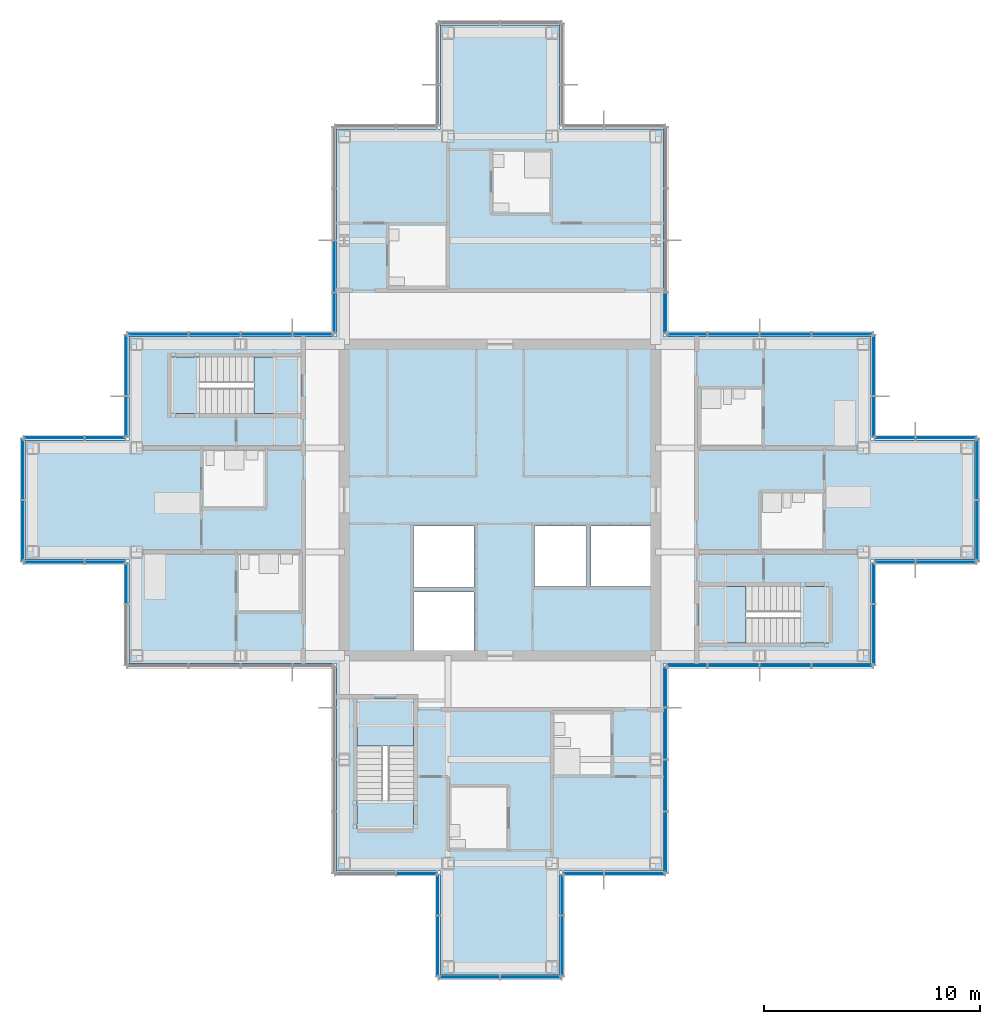
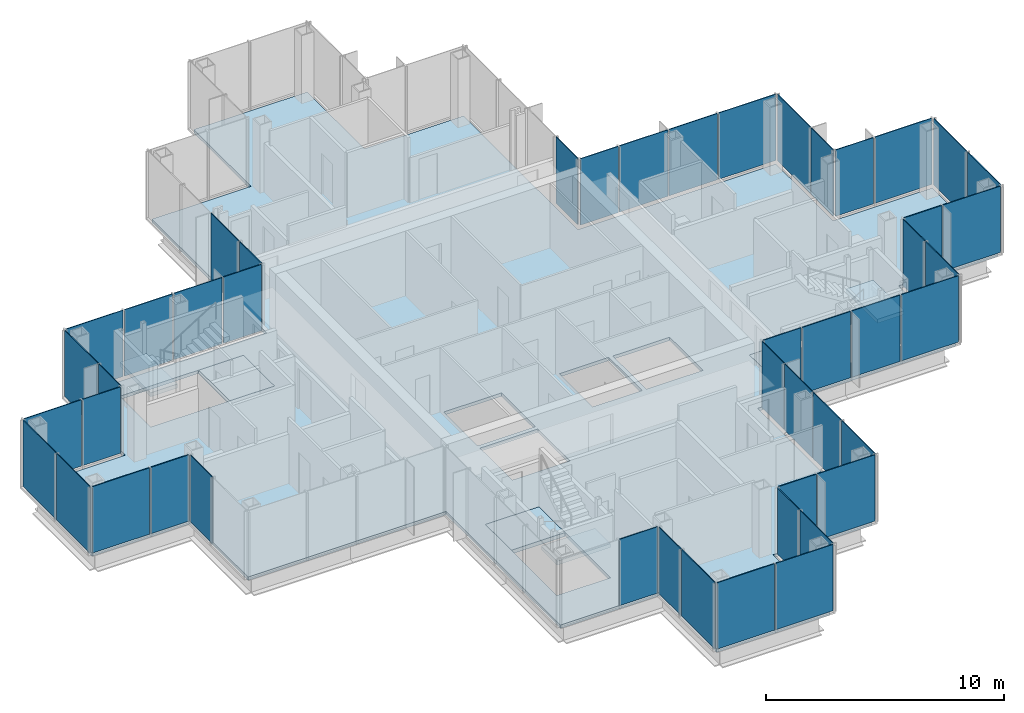
# One storey, part 10 of 17: 47 plates, 7 slabs, 24 elements without a shape of their own.
"""IFC4 building model written with IfcOpenShell, lengths in metres."""

from ifc_helpers import new_model, si_unit, direction, frame, origin, origin_2d, place, context, subcontext, project, spatial, polyline, rectangle, outline, extrude, material, layer, layer_set, type_object, element, aggregate, save


model = new_model("IFC4")

# Units and contexts
model_context = context("Model", 3, precision=1e-05, world=origin(), true_north=direction((0.0, 1.0)))
body_context = subcontext(model_context, "Body", "Model", "MODEL_VIEW")
ifc_project = project(units=[si_unit("LENGTHUNIT", "METRE"), si_unit("AREAUNIT", "SQUARE_METRE"), si_unit("VOLUMEUNIT", "CUBIC_METRE"), si_unit("PLANEANGLEUNIT", "RADIAN"), si_unit("MASSUNIT", "GRAM", prefix="KILO")], contexts=[model_context])

# Site, building, storey
site_placement = place(None, origin())
site = spatial("IfcSite", under=ifc_project, at=site_placement, CompositionType="ELEMENT")
building_placement = place(site_placement, origin())
building = spatial("IfcBuilding", under=site, at=building_placement, Name="Kvirike Care Tower", CompositionType="ELEMENT")
storey_placement = place(building_placement, frame((0.0, 0.0, 169.0)))
storey = spatial("IfcBuildingStorey", under=building, at=storey_placement, Name="L46", CompositionType="ELEMENT", Elevation=169.0)

# Slab
ifc_material_1 = material(Name="Concrete C35/45", Category="concrete")
ifc_layer_1 = layer(ifc_material_1, 0.169921875)
ifc_layer_set_1 = layer_set([ifc_layer_1], Name="FLOOR SLAB 170")
slab_type_1 = type_object("IfcSlabType", Name="FLOOR SLAB 170", PredefinedType="FLOOR", material=ifc_layer_set_1)
slab_1_placement = place(storey_placement, frame((0.0, 0.0, -0.169921875)))
element("IfcSlab", 1, at=slab_1_placement, inside=storey, type_object=slab_type_1, Name="Floor slab L46", PredefinedType="FLOOR", context=body_context, shape_type="SweptSolid", body=[
    extrude(outline(polyline([(29.14990234375, 28.449951171875), (38.75, 28.449951171875), (38.75, 33.25), (43.550048828125, 33.25), (43.550048828125, 38.75), (38.75, 38.75), (38.75, 43.550048828125), (29.14990234375, 43.550048828125), (29.14990234375, 53.14990234375), (24.35009765625, 53.14990234375), (24.35009765625, 57.949951171875), (18.85009765625, 57.949951171875), (18.85009765625, 53.14990234375), (14.050048828125, 53.14990234375), (14.050048828125, 43.550048828125), (4.449951171875, 43.550048828125), (4.449951171875, 38.75), (-0.35009765625, 38.75), (-0.35009765625, 33.25), (4.449951171875, 33.25), (4.449951171875, 28.449951171875), (14.050048828125, 28.449951171875), (14.050048828125, 18.85009765625), (18.85009765625, 18.85009765625), (18.85009765625, 14.050048828125), (24.35009765625, 14.050048828125), (24.35009765625, 18.85009765625), (29.14990234375, 18.85009765625), (29.14990234375, 28.449951171875)]), holes=[polyline([(17.60009765625, 29.050048828125), (17.60009765625, 31.75), (20.39990234375, 31.75), (20.39990234375, 29.050048828125), (17.60009765625, 29.050048828125)]), polyline([(17.60009765625, 31.949951171875), (17.60009765625, 34.800048828125), (20.39990234375, 34.800048828125), (20.39990234375, 31.949951171875), (17.60009765625, 31.949951171875)]), polyline([(23.199951171875, 32.0), (23.199951171875, 34.800048828125), (25.60009765625, 34.800048828125), (25.60009765625, 32.0), (23.199951171875, 32.0)]), polyline([(25.800048828125, 32.0), (25.800048828125, 34.800048828125), (28.550048828125, 34.800048828125), (28.550048828125, 32.0), (25.800048828125, 32.0)]), polyline([(12.39990234375, 42.60009765625), (12.39990234375, 40.0), (6.39990234375, 40.0), (6.39990234375, 42.60009765625), (12.39990234375, 42.60009765625)]), polyline([(30.800048828125, 29.39990234375), (30.800048828125, 32.0), (36.800048828125, 32.0), (36.800048828125, 29.39990234375), (30.800048828125, 29.39990234375)]), polyline([(15.0, 26.800048828125), (17.60009765625, 26.800048828125), (17.60009765625, 20.800048828125), (15.0, 20.800048828125), (15.0, 26.800048828125)])]), origin(), (0.0, 0.0, 1.0), 0.169921875),
])

# Stair, slabs
ifc_material_2 = material(Name="Concrete C35/45", Category="concrete")
stair_type = type_object("IfcStairType", Name="STAIR 20 RISERS", PredefinedType="HALF_TURN_STAIR", material=ifc_material_2)
stair_1_placement = place(storey_placement, origin())
stair_1 = element("IfcStair", 2, at=stair_1_placement, inside=storey, type_object=stair_type, Name="Stair 1 L46", PredefinedType="HALF_TURN_STAIR")
ifc_material_3 = material(Name="Concrete C35/45", Category="concrete")
ifc_layer_2 = layer(ifc_material_3, 0.199951171875)
ifc_layer_set_2 = layer_set([ifc_layer_2], Name="STAIR LANDING 200")
slab_type_2 = type_object("IfcSlabType", Name="STAIR LANDING 200", PredefinedType="LANDING", material=ifc_layer_set_2)
slab_2_placement = place(storey_placement, frame((0.0, 0.0, -0.199951171875)))
slab_2 = element("IfcSlab", 3, at=slab_2_placement, type_object=slab_type_2, Name="Stair S1 floor landing L46", PredefinedType="LANDING", context=body_context, shape_type="SweptSolid", body=[
    extrude(outline(polyline([(10.219970703125, 42.60009765625), (10.219970703125, 40.0), (12.39990234375, 40.0), (12.39990234375, 42.60009765625), (10.219970703125, 42.60009765625)])), origin(), (0.0, 0.0, 1.0), 0.199951171875),
])
slab_3_placement = place(storey_placement, frame((0.0, 0.0, 1.550048828125)))
slab_3 = element("IfcSlab", 4, at=slab_3_placement, type_object=slab_type_2, Name="Stair S1 half landing L46-L47", PredefinedType="LANDING", context=body_context, shape_type="SweptSolid", body=[
    extrude(outline(polyline([(6.39990234375, 42.60009765625), (6.39990234375, 40.0), (7.699951171875, 40.0), (7.699951171875, 42.60009765625), (6.39990234375, 42.60009765625)])), origin(), (0.0, 0.0, 1.0), 0.199951171875),
])
aggregate(stair_1, [slab_2, slab_3])

stair_2_placement = place(storey_placement, origin())
stair_2 = element("IfcStair", 5, at=stair_2_placement, inside=storey, type_object=stair_type, Name="Stair 2 L46", PredefinedType="HALF_TURN_STAIR")
slab_4_placement = place(storey_placement, frame((0.0, 0.0, -0.199951171875)))
slab_4 = element("IfcSlab", 6, at=slab_4_placement, type_object=slab_type_2, Name="Stair S2 floor landing L46", PredefinedType="LANDING", context=body_context, shape_type="SweptSolid", body=[
    extrude(outline(polyline([(32.97998046875, 29.39990234375), (32.97998046875, 32.0), (30.800048828125, 32.0), (30.800048828125, 29.39990234375), (32.97998046875, 29.39990234375)])), origin(), (0.0, 0.0, 1.0), 0.199951171875),
])
slab_5_placement = place(storey_placement, frame((0.0, 0.0, 1.550048828125)))
slab_5 = element("IfcSlab", 7, at=slab_5_placement, type_object=slab_type_2, Name="Stair S2 half landing L46-L47", PredefinedType="LANDING", context=body_context, shape_type="SweptSolid", body=[
    extrude(outline(polyline([(36.800048828125, 29.39990234375), (36.800048828125, 32.0), (35.5, 32.0), (35.5, 29.39990234375), (36.800048828125, 29.39990234375)])), origin(), (0.0, 0.0, 1.0), 0.199951171875),
])
aggregate(stair_2, [slab_4, slab_5])

stair_3_placement = place(storey_placement, origin())
stair_3 = element("IfcStair", 8, at=stair_3_placement, inside=storey, type_object=stair_type, Name="Stair 5 L46", PredefinedType="HALF_TURN_STAIR")
slab_6_placement = place(storey_placement, frame((0.0, 0.0, -0.199951171875)))
slab_6 = element("IfcSlab", 9, at=slab_6_placement, type_object=slab_type_2, Name="Stair S5 floor landing L46", PredefinedType="LANDING", context=body_context, shape_type="SweptSolid", body=[
    extrude(outline(polyline([(15.0, 24.6201171875), (17.60009765625, 24.6201171875), (17.60009765625, 26.800048828125), (15.0, 26.800048828125), (15.0, 24.6201171875)])), origin(), (0.0, 0.0, 1.0), 0.199951171875),
])
slab_7_placement = place(storey_placement, frame((0.0, 0.0, 1.550048828125)))
slab_7 = element("IfcSlab", 10, at=slab_7_placement, type_object=slab_type_2, Name="Stair S5 half landing L46-L47", PredefinedType="LANDING", context=body_context, shape_type="SweptSolid", body=[
    extrude(outline(polyline([(15.0, 20.800048828125), (17.60009765625, 20.800048828125), (17.60009765625, 22.10009765625), (15.0, 22.10009765625), (15.0, 20.800048828125)])), origin(), (0.0, 0.0, 1.0), 0.199951171875),
])
aggregate(stair_3, [slab_6, slab_7])

# Curtain wall, plates
ifc_material_4 = material(Name="Anodised aluminium stick system", Category="aluminium")
curtain_wall_type = type_object("IfcCurtainWallType", Name="CW-C STICK CURTAIN WALL", PredefinedType="NOTDEFINED", material=ifc_material_4)
curtain_wall_1_placement = place(storey_placement, origin())
curtain_wall_1 = element("IfcCurtainWall", 11, at=curtain_wall_1_placement, inside=storey, type_object=curtain_wall_type, Name="Curtain wall L46 face 1", PredefinedType="NOTDEFINED")
ifc_material_5 = material(Name="Tinted double glazed unit", Category="glass")
ifc_layer_3 = layer(ifc_material_5, 0.0400390625)
ifc_layer_set_3 = layer_set([ifc_layer_3], Name="TINTED VISION PANEL 40")
plate_type = type_object("IfcPlateType", Name="TINTED VISION PANEL 40", PredefinedType="CURTAIN_PANEL", material=ifc_layer_set_3)
plate_1_placement = place(storey_placement, frame((30.251220703125, 28.330078125, 0.10009765625), z_axis=(0.0, 0.0, 1.0), x_axis=(1.0, 0.0, 0.0)))
plate_1 = element("IfcPlate", 12, at=plate_1_placement, type_object=plate_type, Name="CW-C panel L46 face 1.1", PredefinedType="CURTAIN_PANEL", context=body_context, shape_type="SweptSolid", body=[
    extrude(rectangle(XDim=1.83251953125, YDim=0.0400390625, at=origin_2d()), origin(), (0.0, 0.0, 1.0), 3.39990234375),
])
plate_2_placement = place(storey_placement, frame((32.39990234375, 28.330078125, 0.10009765625), z_axis=(0.0, 0.0, 1.0), x_axis=(1.0, 0.0, 0.0)))
plate_2 = element("IfcPlate", 13, at=plate_2_placement, type_object=plate_type, Name="CW-C panel L46 face 1.2", PredefinedType="CURTAIN_PANEL", context=body_context, shape_type="SweptSolid", body=[
    extrude(rectangle(XDim=2.3349609375, YDim=0.0400390625, at=origin_2d()), origin(), (0.0, 0.0, 1.0), 3.39990234375),
])
plate_3_placement = place(storey_placement, frame((34.800048828125, 28.330078125, 0.10009765625), z_axis=(0.0, 0.0, 1.0), x_axis=(1.0, 0.0, 0.0)))
plate_3 = element("IfcPlate", 14, at=plate_3_placement, type_object=plate_type, Name="CW-C panel L46 face 1.3", PredefinedType="CURTAIN_PANEL", context=body_context, shape_type="SweptSolid", body=[
    extrude(rectangle(XDim=2.3349609375, YDim=0.0400390625, at=origin_2d()), origin(), (0.0, 0.0, 1.0), 3.39990234375),
])
plate_4_placement = place(storey_placement, frame((37.418701171875, 28.330078125, 0.10009765625), z_axis=(0.0, 0.0, 1.0), x_axis=(1.0, 0.0, 0.0)))
plate_4 = element("IfcPlate", 15, at=plate_4_placement, type_object=plate_type, Name="CW-C panel L46 face 1.4", PredefinedType="CURTAIN_PANEL", context=body_context, shape_type="SweptSolid", body=[
    extrude(rectangle(XDim=2.7724609375, YDim=0.0400390625, at=origin_2d()), origin(), (0.0, 0.0, 1.0), 3.39990234375),
])
aggregate(curtain_wall_1, [plate_1, plate_2, plate_3, plate_4])

curtain_wall_2_placement = place(storey_placement, origin())
curtain_wall_2 = element("IfcCurtainWall", 16, at=curtain_wall_2_placement, inside=storey, type_object=curtain_wall_type, Name="Curtain wall L46 face 2", PredefinedType="NOTDEFINED")
plate_5_placement = place(storey_placement, frame((38.8701171875, 29.78125, 0.10009765625), z_axis=(0.0, 0.0, 1.0), x_axis=(0.0, 1.0, 0.0)))
plate_5 = element("IfcPlate", 17, at=plate_5_placement, type_object=plate_type, Name="CW-C panel L46 face 2.1", PredefinedType="CURTAIN_PANEL", context=body_context, shape_type="SweptSolid", body=[
    extrude(rectangle(XDim=2.7724609375, YDim=0.0400390625, at=origin_2d()), origin(), (0.0, 0.0, 1.0), 3.39990234375),
])
plate_6_placement = place(storey_placement, frame((38.8701171875, 32.148681640625, 0.10009765625), z_axis=(0.0, 0.0, 1.0), x_axis=(0.0, 1.0, 0.0)))
plate_6 = element("IfcPlate", 18, at=plate_6_placement, type_object=plate_type, Name="CW-C panel L46 face 2.2", PredefinedType="CURTAIN_PANEL", context=body_context, shape_type="SweptSolid", body=[
    extrude(rectangle(XDim=1.83251953125, YDim=0.0400390625, at=origin_2d()), origin(), (0.0, 0.0, 1.0), 3.39990234375),
])
aggregate(curtain_wall_2, [plate_5, plate_6])

curtain_wall_3_placement = place(storey_placement, origin())
curtain_wall_3 = element("IfcCurtainWall", 19, at=curtain_wall_3_placement, inside=storey, type_object=curtain_wall_type, Name="Curtain wall L46 face 3", PredefinedType="NOTDEFINED")
plate_7_placement = place(storey_placement, frame((39.851318359375, 33.1298828125, 0.10009765625), z_axis=(0.0, 0.0, 1.0), x_axis=(1.0, 0.0, 0.0)))
plate_7 = element("IfcPlate", 20, at=plate_7_placement, type_object=plate_type, Name="CW-C panel L46 face 3.1", PredefinedType="CURTAIN_PANEL", context=body_context, shape_type="SweptSolid", body=[
    extrude(rectangle(XDim=1.83251953125, YDim=0.0400390625, at=origin_2d()), origin(), (0.0, 0.0, 1.0), 3.39990234375),
])
plate_8_placement = place(storey_placement, frame((42.21875, 33.1298828125, 0.10009765625), z_axis=(0.0, 0.0, 1.0), x_axis=(1.0, 0.0, 0.0)))
plate_8 = element("IfcPlate", 21, at=plate_8_placement, type_object=plate_type, Name="CW-C panel L46 face 3.2", PredefinedType="CURTAIN_PANEL", context=body_context, shape_type="SweptSolid", body=[
    extrude(rectangle(XDim=2.7724609375, YDim=0.0400390625, at=origin_2d()), origin(), (0.0, 0.0, 1.0), 3.39990234375),
])
aggregate(curtain_wall_3, [plate_7, plate_8])

curtain_wall_4_placement = place(storey_placement, origin())
curtain_wall_4 = element("IfcCurtainWall", 22, at=curtain_wall_4_placement, inside=storey, type_object=curtain_wall_type, Name="Curtain wall L46 face 4", PredefinedType="NOTDEFINED")
plate_9_placement = place(storey_placement, frame((43.669921875, 34.581298828125, 0.10009765625), z_axis=(0.0, 0.0, 1.0), x_axis=(0.0, 1.0, 0.0)))
plate_9 = element("IfcPlate", 23, at=plate_9_placement, type_object=plate_type, Name="CW-C panel L46 face 4.1", PredefinedType="CURTAIN_PANEL", context=body_context, shape_type="SweptSolid", body=[
    extrude(rectangle(XDim=2.7724609375, YDim=0.0400390625, at=origin_2d()), origin(), (0.0, 0.0, 1.0), 3.39990234375),
])
plate_10_placement = place(storey_placement, frame((43.669921875, 37.418701171875, 0.10009765625), z_axis=(0.0, 0.0, 1.0), x_axis=(0.0, 1.0, 0.0)))
plate_10 = element("IfcPlate", 24, at=plate_10_placement, type_object=plate_type, Name="CW-C panel L46 face 4.2", PredefinedType="CURTAIN_PANEL", context=body_context, shape_type="SweptSolid", body=[
    extrude(rectangle(XDim=2.7724609375, YDim=0.0400390625, at=origin_2d()), origin(), (0.0, 0.0, 1.0), 3.39990234375),
])
aggregate(curtain_wall_4, [plate_9, plate_10])

curtain_wall_5_placement = place(storey_placement, origin())
curtain_wall_5 = element("IfcCurtainWall", 25, at=curtain_wall_5_placement, inside=storey, type_object=curtain_wall_type, Name="Curtain wall L46 face 5", PredefinedType="NOTDEFINED")
plate_11_placement = place(storey_placement, frame((42.21875, 38.8701171875, 0.10009765625), z_axis=(0.0, 0.0, 1.0), x_axis=(-1.0, 0.0, 0.0)))
plate_11 = element("IfcPlate", 26, at=plate_11_placement, type_object=plate_type, Name="CW-C panel L46 face 5.1", PredefinedType="CURTAIN_PANEL", context=body_context, shape_type="SweptSolid", body=[
    extrude(rectangle(XDim=2.7724609375, YDim=0.0400390625, at=origin_2d()), origin(), (0.0, 0.0, 1.0), 3.39990234375),
])
plate_12_placement = place(storey_placement, frame((39.851318359375, 38.8701171875, 0.10009765625), z_axis=(0.0, 0.0, 1.0), x_axis=(-1.0, 0.0, 0.0)))
plate_12 = element("IfcPlate", 27, at=plate_12_placement, type_object=plate_type, Name="CW-C panel L46 face 5.2", PredefinedType="CURTAIN_PANEL", context=body_context, shape_type="SweptSolid", body=[
    extrude(rectangle(XDim=1.83251953125, YDim=0.0400390625, at=origin_2d()), origin(), (0.0, 0.0, 1.0), 3.39990234375),
])
aggregate(curtain_wall_5, [plate_11, plate_12])

curtain_wall_6_placement = place(storey_placement, origin())
curtain_wall_6 = element("IfcCurtainWall", 28, at=curtain_wall_6_placement, inside=storey, type_object=curtain_wall_type, Name="Curtain wall L46 face 6", PredefinedType="NOTDEFINED")
plate_13_placement = place(storey_placement, frame((38.8701171875, 39.851318359375, 0.10009765625), z_axis=(0.0, 0.0, 1.0), x_axis=(0.0, 1.0, 0.0)))
plate_13 = element("IfcPlate", 29, at=plate_13_placement, type_object=plate_type, Name="CW-C panel L46 face 6.1", PredefinedType="CURTAIN_PANEL", context=body_context, shape_type="SweptSolid", body=[
    extrude(rectangle(XDim=1.83251953125, YDim=0.0400390625, at=origin_2d()), origin(), (0.0, 0.0, 1.0), 3.39990234375),
])
plate_14_placement = place(storey_placement, frame((38.8701171875, 42.21875, 0.10009765625), z_axis=(0.0, 0.0, 1.0), x_axis=(0.0, 1.0, 0.0)))
plate_14 = element("IfcPlate", 30, at=plate_14_placement, type_object=plate_type, Name="CW-C panel L46 face 6.2", PredefinedType="CURTAIN_PANEL", context=body_context, shape_type="SweptSolid", body=[
    extrude(rectangle(XDim=2.7724609375, YDim=0.0400390625, at=origin_2d()), origin(), (0.0, 0.0, 1.0), 3.39990234375),
])
aggregate(curtain_wall_6, [plate_13, plate_14])

curtain_wall_7_placement = place(storey_placement, origin())
curtain_wall_7 = element("IfcCurtainWall", 31, at=curtain_wall_7_placement, inside=storey, type_object=curtain_wall_type, Name="Curtain wall L46 face 7", PredefinedType="NOTDEFINED")
plate_15_placement = place(storey_placement, frame((37.418701171875, 43.669921875, 0.10009765625), z_axis=(0.0, 0.0, 1.0), x_axis=(-1.0, 0.0, 0.0)))
plate_15 = element("IfcPlate", 32, at=plate_15_placement, type_object=plate_type, Name="CW-C panel L46 face 7.1", PredefinedType="CURTAIN_PANEL", context=body_context, shape_type="SweptSolid", body=[
    extrude(rectangle(XDim=2.7724609375, YDim=0.0400390625, at=origin_2d()), origin(), (0.0, 0.0, 1.0), 3.39990234375),
])
plate_16_placement = place(storey_placement, frame((34.800048828125, 43.669921875, 0.10009765625), z_axis=(0.0, 0.0, 1.0), x_axis=(-1.0, 0.0, 0.0)))
plate_16 = element("IfcPlate", 33, at=plate_16_placement, type_object=plate_type, Name="CW-C panel L46 face 7.2", PredefinedType="CURTAIN_PANEL", context=body_context, shape_type="SweptSolid", body=[
    extrude(rectangle(XDim=2.3349609375, YDim=0.0400390625, at=origin_2d()), origin(), (0.0, 0.0, 1.0), 3.39990234375),
])
plate_17_placement = place(storey_placement, frame((32.39990234375, 43.669921875, 0.10009765625), z_axis=(0.0, 0.0, 1.0), x_axis=(-1.0, 0.0, 0.0)))
plate_17 = element("IfcPlate", 34, at=plate_17_placement, type_object=plate_type, Name="CW-C panel L46 face 7.3", PredefinedType="CURTAIN_PANEL", context=body_context, shape_type="SweptSolid", body=[
    extrude(rectangle(XDim=2.3349609375, YDim=0.0400390625, at=origin_2d()), origin(), (0.0, 0.0, 1.0), 3.39990234375),
])
plate_18_placement = place(storey_placement, frame((30.251220703125, 43.669921875, 0.10009765625), z_axis=(0.0, 0.0, 1.0), x_axis=(-1.0, 0.0, 0.0)))
plate_18 = element("IfcPlate", 35, at=plate_18_placement, type_object=plate_type, Name="CW-C panel L46 face 7.4", PredefinedType="CURTAIN_PANEL", context=body_context, shape_type="SweptSolid", body=[
    extrude(rectangle(XDim=1.83251953125, YDim=0.0400390625, at=origin_2d()), origin(), (0.0, 0.0, 1.0), 3.39990234375),
])
aggregate(curtain_wall_7, [plate_15, plate_16, plate_17, plate_18])

# Curtain wall, plate
curtain_wall_8_placement = place(storey_placement, origin())
curtain_wall_8 = element("IfcCurtainWall", 36, at=curtain_wall_8_placement, inside=storey, type_object=curtain_wall_type, Name="Curtain wall L46 face 8", PredefinedType="NOTDEFINED")
plate_19_placement = place(storey_placement, frame((29.27001953125, 44.6513671875, 0.10009765625), z_axis=(0.0, 0.0, 1.0), x_axis=(0.0, 1.0, 0.0)))
plate_19 = element("IfcPlate", 37, at=plate_19_placement, type_object=plate_type, Name="CW-C panel L46 face 8.1", PredefinedType="CURTAIN_PANEL", context=body_context, shape_type="SweptSolid", body=[
    extrude(rectangle(XDim=1.83251953125, YDim=0.0400390625, at=origin_2d()), origin(), (0.0, 0.0, 1.0), 3.39990234375),
])
aggregate(curtain_wall_8, [plate_19])

# Curtain wall, plates
curtain_wall_9_placement = place(storey_placement, origin())
curtain_wall_9 = element("IfcCurtainWall", 38, at=curtain_wall_9_placement, inside=storey, type_object=curtain_wall_type, Name="Curtain wall L46 face 14", PredefinedType="NOTDEFINED")
plate_20_placement = place(storey_placement, frame((13.929931640625, 46.800048828125, 0.10009765625), z_axis=(0.0, 0.0, 1.0), x_axis=(0.0, -1.0, 0.0)))
plate_20 = element("IfcPlate", 39, at=plate_20_placement, type_object=plate_type, Name="CW-C panel L46 face 14.3", PredefinedType="CURTAIN_PANEL", context=body_context, shape_type="SweptSolid", body=[
    extrude(rectangle(XDim=2.3349609375, YDim=0.0400390625, at=origin_2d()), origin(), (0.0, 0.0, 1.0), 3.39990234375),
])
plate_21_placement = place(storey_placement, frame((13.929931640625, 44.6513671875, 0.10009765625), z_axis=(0.0, 0.0, 1.0), x_axis=(0.0, -1.0, 0.0)))
plate_21 = element("IfcPlate", 40, at=plate_21_placement, type_object=plate_type, Name="CW-C panel L46 face 14.4", PredefinedType="CURTAIN_PANEL", context=body_context, shape_type="SweptSolid", body=[
    extrude(rectangle(XDim=1.83251953125, YDim=0.0400390625, at=origin_2d()), origin(), (0.0, 0.0, 1.0), 3.39990234375),
])
aggregate(curtain_wall_9, [plate_20, plate_21])

curtain_wall_10_placement = place(storey_placement, origin())
curtain_wall_10 = element("IfcCurtainWall", 41, at=curtain_wall_10_placement, inside=storey, type_object=curtain_wall_type, Name="Curtain wall L46 face 15", PredefinedType="NOTDEFINED")
plate_22_placement = place(storey_placement, frame((12.94873046875, 43.669921875, 0.10009765625), z_axis=(0.0, 0.0, 1.0), x_axis=(-1.0, 0.0, 0.0)))
plate_22 = element("IfcPlate", 42, at=plate_22_placement, type_object=plate_type, Name="CW-C panel L46 face 15.1", PredefinedType="CURTAIN_PANEL", context=body_context, shape_type="SweptSolid", body=[
    extrude(rectangle(XDim=1.83251953125, YDim=0.0400390625, at=origin_2d()), origin(), (0.0, 0.0, 1.0), 3.39990234375),
])
plate_23_placement = place(storey_placement, frame((10.800048828125, 43.669921875, 0.10009765625), z_axis=(0.0, 0.0, 1.0), x_axis=(-1.0, 0.0, 0.0)))
plate_23 = element("IfcPlate", 43, at=plate_23_placement, type_object=plate_type, Name="CW-C panel L46 face 15.2", PredefinedType="CURTAIN_PANEL", context=body_context, shape_type="SweptSolid", body=[
    extrude(rectangle(XDim=2.3349609375, YDim=0.0400390625, at=origin_2d()), origin(), (0.0, 0.0, 1.0), 3.39990234375),
])
plate_24_placement = place(storey_placement, frame((8.39990234375, 43.669921875, 0.10009765625), z_axis=(0.0, 0.0, 1.0), x_axis=(-1.0, 0.0, 0.0)))
plate_24 = element("IfcPlate", 44, at=plate_24_placement, type_object=plate_type, Name="CW-C panel L46 face 15.3", PredefinedType="CURTAIN_PANEL", context=body_context, shape_type="SweptSolid", body=[
    extrude(rectangle(XDim=2.3349609375, YDim=0.0400390625, at=origin_2d()), origin(), (0.0, 0.0, 1.0), 3.39990234375),
])
plate_25_placement = place(storey_placement, frame((5.78125, 43.669921875, 0.10009765625), z_axis=(0.0, 0.0, 1.0), x_axis=(-1.0, 0.0, 0.0)))
plate_25 = element("IfcPlate", 45, at=plate_25_placement, type_object=plate_type, Name="CW-C panel L46 face 15.4", PredefinedType="CURTAIN_PANEL", context=body_context, shape_type="SweptSolid", body=[
    extrude(rectangle(XDim=2.7724609375, YDim=0.0400390625, at=origin_2d()), origin(), (0.0, 0.0, 1.0), 3.39990234375),
])
aggregate(curtain_wall_10, [plate_22, plate_23, plate_24, plate_25])

curtain_wall_11_placement = place(storey_placement, origin())
curtain_wall_11 = element("IfcCurtainWall", 46, at=curtain_wall_11_placement, inside=storey, type_object=curtain_wall_type, Name="Curtain wall L46 face 16", PredefinedType="NOTDEFINED")
plate_26_placement = place(storey_placement, frame((4.330078125, 42.21875, 0.10009765625), z_axis=(0.0, 0.0, 1.0), x_axis=(0.0, -1.0, 0.0)))
plate_26 = element("IfcPlate", 47, at=plate_26_placement, type_object=plate_type, Name="CW-C panel L46 face 16.1", PredefinedType="CURTAIN_PANEL", context=body_context, shape_type="SweptSolid", body=[
    extrude(rectangle(XDim=2.7724609375, YDim=0.0400390625, at=origin_2d()), origin(), (0.0, 0.0, 1.0), 3.39990234375),
])
plate_27_placement = place(storey_placement, frame((4.330078125, 39.851318359375, 0.10009765625), z_axis=(0.0, 0.0, 1.0), x_axis=(0.0, -1.0, 0.0)))
plate_27 = element("IfcPlate", 48, at=plate_27_placement, type_object=plate_type, Name="CW-C panel L46 face 16.2", PredefinedType="CURTAIN_PANEL", context=body_context, shape_type="SweptSolid", body=[
    extrude(rectangle(XDim=1.83251953125, YDim=0.0400390625, at=origin_2d()), origin(), (0.0, 0.0, 1.0), 3.39990234375),
])
aggregate(curtain_wall_11, [plate_26, plate_27])

curtain_wall_12_placement = place(storey_placement, origin())
curtain_wall_12 = element("IfcCurtainWall", 49, at=curtain_wall_12_placement, inside=storey, type_object=curtain_wall_type, Name="Curtain wall L46 face 17", PredefinedType="NOTDEFINED")
plate_28_placement = place(storey_placement, frame((3.3486328125, 38.8701171875, 0.10009765625), z_axis=(0.0, 0.0, 1.0), x_axis=(-1.0, 0.0, 0.0)))
plate_28 = element("IfcPlate", 50, at=plate_28_placement, type_object=plate_type, Name="CW-C panel L46 face 17.1", PredefinedType="CURTAIN_PANEL", context=body_context, shape_type="SweptSolid", body=[
    extrude(rectangle(XDim=1.83251953125, YDim=0.0400390625, at=origin_2d()), origin(), (0.0, 0.0, 1.0), 3.39990234375),
])
plate_29_placement = place(storey_placement, frame((0.981201171875, 38.8701171875, 0.10009765625), z_axis=(0.0, 0.0, 1.0), x_axis=(-1.0, 0.0, 0.0)))
plate_29 = element("IfcPlate", 51, at=plate_29_placement, type_object=plate_type, Name="CW-C panel L46 face 17.2", PredefinedType="CURTAIN_PANEL", context=body_context, shape_type="SweptSolid", body=[
    extrude(rectangle(XDim=2.7724609375, YDim=0.0400390625, at=origin_2d()), origin(), (0.0, 0.0, 1.0), 3.39990234375),
])
aggregate(curtain_wall_12, [plate_28, plate_29])

curtain_wall_13_placement = place(storey_placement, origin())
curtain_wall_13 = element("IfcCurtainWall", 52, at=curtain_wall_13_placement, inside=storey, type_object=curtain_wall_type, Name="Curtain wall L46 face 18", PredefinedType="NOTDEFINED")
plate_30_placement = place(storey_placement, frame((-0.469970703125, 37.418701171875, 0.10009765625), z_axis=(0.0, 0.0, 1.0), x_axis=(0.0, -1.0, 0.0)))
plate_30 = element("IfcPlate", 53, at=plate_30_placement, type_object=plate_type, Name="CW-C panel L46 face 18.1", PredefinedType="CURTAIN_PANEL", context=body_context, shape_type="SweptSolid", body=[
    extrude(rectangle(XDim=2.7724609375, YDim=0.0400390625, at=origin_2d()), origin(), (0.0, 0.0, 1.0), 3.39990234375),
])
plate_31_placement = place(storey_placement, frame((-0.469970703125, 34.581298828125, 0.10009765625), z_axis=(0.0, 0.0, 1.0), x_axis=(0.0, -1.0, 0.0)))
plate_31 = element("IfcPlate", 54, at=plate_31_placement, type_object=plate_type, Name="CW-C panel L46 face 18.2", PredefinedType="CURTAIN_PANEL", context=body_context, shape_type="SweptSolid", body=[
    extrude(rectangle(XDim=2.7724609375, YDim=0.0400390625, at=origin_2d()), origin(), (0.0, 0.0, 1.0), 3.39990234375),
])
aggregate(curtain_wall_13, [plate_30, plate_31])

curtain_wall_14_placement = place(storey_placement, origin())
curtain_wall_14 = element("IfcCurtainWall", 55, at=curtain_wall_14_placement, inside=storey, type_object=curtain_wall_type, Name="Curtain wall L46 face 19", PredefinedType="NOTDEFINED")
plate_32_placement = place(storey_placement, frame((0.981201171875, 33.1298828125, 0.10009765625), z_axis=(0.0, 0.0, 1.0), x_axis=(1.0, 0.0, 0.0)))
plate_32 = element("IfcPlate", 56, at=plate_32_placement, type_object=plate_type, Name="CW-C panel L46 face 19.1", PredefinedType="CURTAIN_PANEL", context=body_context, shape_type="SweptSolid", body=[
    extrude(rectangle(XDim=2.7724609375, YDim=0.0400390625, at=origin_2d()), origin(), (0.0, 0.0, 1.0), 3.39990234375),
])
plate_33_placement = place(storey_placement, frame((3.3486328125, 33.1298828125, 0.10009765625), z_axis=(0.0, 0.0, 1.0), x_axis=(1.0, 0.0, 0.0)))
plate_33 = element("IfcPlate", 57, at=plate_33_placement, type_object=plate_type, Name="CW-C panel L46 face 19.2", PredefinedType="CURTAIN_PANEL", context=body_context, shape_type="SweptSolid", body=[
    extrude(rectangle(XDim=1.83251953125, YDim=0.0400390625, at=origin_2d()), origin(), (0.0, 0.0, 1.0), 3.39990234375),
])
aggregate(curtain_wall_14, [plate_32, plate_33])

# Curtain wall, plate
curtain_wall_15_placement = place(storey_placement, origin())
curtain_wall_15 = element("IfcCurtainWall", 58, at=curtain_wall_15_placement, inside=storey, type_object=curtain_wall_type, Name="Curtain wall L46 face 20", PredefinedType="NOTDEFINED")
plate_34_placement = place(storey_placement, frame((4.330078125, 32.148681640625, 0.10009765625), z_axis=(0.0, 0.0, 1.0), x_axis=(0.0, -1.0, 0.0)))
plate_34 = element("IfcPlate", 59, at=plate_34_placement, type_object=plate_type, Name="CW-C panel L46 face 20.1", PredefinedType="CURTAIN_PANEL", context=body_context, shape_type="SweptSolid", body=[
    extrude(rectangle(XDim=1.83251953125, YDim=0.0400390625, at=origin_2d()), origin(), (0.0, 0.0, 1.0), 3.39990234375),
])
aggregate(curtain_wall_15, [plate_34])

curtain_wall_16_placement = place(storey_placement, origin())
curtain_wall_16 = element("IfcCurtainWall", 60, at=curtain_wall_16_placement, inside=storey, type_object=curtain_wall_type, Name="Curtain wall L46 face 23", PredefinedType="NOTDEFINED")
plate_35_placement = place(storey_placement, frame((17.748779296875, 18.72998046875, 0.10009765625), z_axis=(0.0, 0.0, 1.0), x_axis=(1.0, 0.0, 0.0)))
plate_35 = element("IfcPlate", 61, at=plate_35_placement, type_object=plate_type, Name="CW-C panel L46 face 23.2", PredefinedType="CURTAIN_PANEL", context=body_context, shape_type="SweptSolid", body=[
    extrude(rectangle(XDim=1.83251953125, YDim=0.0400390625, at=origin_2d()), origin(), (0.0, 0.0, 1.0), 3.39990234375),
])
aggregate(curtain_wall_16, [plate_35])

# Curtain wall, plates
curtain_wall_17_placement = place(storey_placement, origin())
curtain_wall_17 = element("IfcCurtainWall", 62, at=curtain_wall_17_placement, inside=storey, type_object=curtain_wall_type, Name="Curtain wall L46 face 24", PredefinedType="NOTDEFINED")
plate_36_placement = place(storey_placement, frame((18.72998046875, 17.748779296875, 0.10009765625), z_axis=(0.0, 0.0, 1.0), x_axis=(0.0, -1.0, 0.0)))
plate_36 = element("IfcPlate", 63, at=plate_36_placement, type_object=plate_type, Name="CW-C panel L46 face 24.1", PredefinedType="CURTAIN_PANEL", context=body_context, shape_type="SweptSolid", body=[
    extrude(rectangle(XDim=1.83251953125, YDim=0.0400390625, at=origin_2d()), origin(), (0.0, 0.0, 1.0), 3.39990234375),
])
plate_37_placement = place(storey_placement, frame((18.72998046875, 15.38134765625, 0.10009765625), z_axis=(0.0, 0.0, 1.0), x_axis=(0.0, -1.0, 0.0)))
plate_37 = element("IfcPlate", 64, at=plate_37_placement, type_object=plate_type, Name="CW-C panel L46 face 24.2", PredefinedType="CURTAIN_PANEL", context=body_context, shape_type="SweptSolid", body=[
    extrude(rectangle(XDim=2.7724609375, YDim=0.0400390625, at=origin_2d()), origin(), (0.0, 0.0, 1.0), 3.39990234375),
])
aggregate(curtain_wall_17, [plate_36, plate_37])

curtain_wall_18_placement = place(storey_placement, origin())
curtain_wall_18 = element("IfcCurtainWall", 65, at=curtain_wall_18_placement, inside=storey, type_object=curtain_wall_type, Name="Curtain wall L46 face 25", PredefinedType="NOTDEFINED")
plate_38_placement = place(storey_placement, frame((20.18115234375, 13.929931640625, 0.10009765625), z_axis=(0.0, 0.0, 1.0), x_axis=(1.0, 0.0, 0.0)))
plate_38 = element("IfcPlate", 66, at=plate_38_placement, type_object=plate_type, Name="CW-C panel L46 face 25.1", PredefinedType="CURTAIN_PANEL", context=body_context, shape_type="SweptSolid", body=[
    extrude(rectangle(XDim=2.7724609375, YDim=0.0400390625, at=origin_2d()), origin(), (0.0, 0.0, 1.0), 3.39990234375),
])
plate_39_placement = place(storey_placement, frame((23.018798828125, 13.929931640625, 0.10009765625), z_axis=(0.0, 0.0, 1.0), x_axis=(1.0, 0.0, 0.0)))
plate_39 = element("IfcPlate", 67, at=plate_39_placement, type_object=plate_type, Name="CW-C panel L46 face 25.2", PredefinedType="CURTAIN_PANEL", context=body_context, shape_type="SweptSolid", body=[
    extrude(rectangle(XDim=2.7724609375, YDim=0.0400390625, at=origin_2d()), origin(), (0.0, 0.0, 1.0), 3.39990234375),
])
aggregate(curtain_wall_18, [plate_38, plate_39])

curtain_wall_19_placement = place(storey_placement, origin())
curtain_wall_19 = element("IfcCurtainWall", 68, at=curtain_wall_19_placement, inside=storey, type_object=curtain_wall_type, Name="Curtain wall L46 face 26", PredefinedType="NOTDEFINED")
plate_40_placement = place(storey_placement, frame((24.469970703125, 15.38134765625, 0.10009765625), z_axis=(0.0, 0.0, 1.0), x_axis=(0.0, 1.0, 0.0)))
plate_40 = element("IfcPlate", 69, at=plate_40_placement, type_object=plate_type, Name="CW-C panel L46 face 26.1", PredefinedType="CURTAIN_PANEL", context=body_context, shape_type="SweptSolid", body=[
    extrude(rectangle(XDim=2.7724609375, YDim=0.0400390625, at=origin_2d()), origin(), (0.0, 0.0, 1.0), 3.39990234375),
])
plate_41_placement = place(storey_placement, frame((24.469970703125, 17.748779296875, 0.10009765625), z_axis=(0.0, 0.0, 1.0), x_axis=(0.0, 1.0, 0.0)))
plate_41 = element("IfcPlate", 70, at=plate_41_placement, type_object=plate_type, Name="CW-C panel L46 face 26.2", PredefinedType="CURTAIN_PANEL", context=body_context, shape_type="SweptSolid", body=[
    extrude(rectangle(XDim=1.83251953125, YDim=0.0400390625, at=origin_2d()), origin(), (0.0, 0.0, 1.0), 3.39990234375),
])
aggregate(curtain_wall_19, [plate_40, plate_41])

curtain_wall_20_placement = place(storey_placement, origin())
curtain_wall_20 = element("IfcCurtainWall", 71, at=curtain_wall_20_placement, inside=storey, type_object=curtain_wall_type, Name="Curtain wall L46 face 27", PredefinedType="NOTDEFINED")
plate_42_placement = place(storey_placement, frame((25.451171875, 18.72998046875, 0.10009765625), z_axis=(0.0, 0.0, 1.0), x_axis=(1.0, 0.0, 0.0)))
plate_42 = element("IfcPlate", 72, at=plate_42_placement, type_object=plate_type, Name="CW-C panel L46 face 27.1", PredefinedType="CURTAIN_PANEL", context=body_context, shape_type="SweptSolid", body=[
    extrude(rectangle(XDim=1.83251953125, YDim=0.0400390625, at=origin_2d()), origin(), (0.0, 0.0, 1.0), 3.39990234375),
])
plate_43_placement = place(storey_placement, frame((27.81884765625, 18.72998046875, 0.10009765625), z_axis=(0.0, 0.0, 1.0), x_axis=(1.0, 0.0, 0.0)))
plate_43 = element("IfcPlate", 73, at=plate_43_placement, type_object=plate_type, Name="CW-C panel L46 face 27.2", PredefinedType="CURTAIN_PANEL", context=body_context, shape_type="SweptSolid", body=[
    extrude(rectangle(XDim=2.7724609375, YDim=0.0400390625, at=origin_2d()), origin(), (0.0, 0.0, 1.0), 3.39990234375),
])
aggregate(curtain_wall_20, [plate_42, plate_43])

curtain_wall_21_placement = place(storey_placement, origin())
curtain_wall_21 = element("IfcCurtainWall", 74, at=curtain_wall_21_placement, inside=storey, type_object=curtain_wall_type, Name="Curtain wall L46 face 28", PredefinedType="NOTDEFINED")
plate_44_placement = place(storey_placement, frame((29.27001953125, 20.18115234375, 0.10009765625), z_axis=(0.0, 0.0, 1.0), x_axis=(0.0, 1.0, 0.0)))
plate_44 = element("IfcPlate", 75, at=plate_44_placement, type_object=plate_type, Name="CW-C panel L46 face 28.1", PredefinedType="CURTAIN_PANEL", context=body_context, shape_type="SweptSolid", body=[
    extrude(rectangle(XDim=2.7724609375, YDim=0.0400390625, at=origin_2d()), origin(), (0.0, 0.0, 1.0), 3.39990234375),
])
plate_45_placement = place(storey_placement, frame((29.27001953125, 22.800048828125, 0.10009765625), z_axis=(0.0, 0.0, 1.0), x_axis=(0.0, 1.0, 0.0)))
plate_45 = element("IfcPlate", 76, at=plate_45_placement, type_object=plate_type, Name="CW-C panel L46 face 28.2", PredefinedType="CURTAIN_PANEL", context=body_context, shape_type="SweptSolid", body=[
    extrude(rectangle(XDim=2.3349609375, YDim=0.0400390625, at=origin_2d()), origin(), (0.0, 0.0, 1.0), 3.39990234375),
])
plate_46_placement = place(storey_placement, frame((29.27001953125, 25.199951171875, 0.10009765625), z_axis=(0.0, 0.0, 1.0), x_axis=(0.0, 1.0, 0.0)))
plate_46 = element("IfcPlate", 77, at=plate_46_placement, type_object=plate_type, Name="CW-C panel L46 face 28.3", PredefinedType="CURTAIN_PANEL", context=body_context, shape_type="SweptSolid", body=[
    extrude(rectangle(XDim=2.3349609375, YDim=0.0400390625, at=origin_2d()), origin(), (0.0, 0.0, 1.0), 3.39990234375),
])
plate_47_placement = place(storey_placement, frame((29.27001953125, 27.3486328125, 0.10009765625), z_axis=(0.0, 0.0, 1.0), x_axis=(0.0, 1.0, 0.0)))
plate_47 = element("IfcPlate", 78, at=plate_47_placement, type_object=plate_type, Name="CW-C panel L46 face 28.4", PredefinedType="CURTAIN_PANEL", context=body_context, shape_type="SweptSolid", body=[
    extrude(rectangle(XDim=1.83251953125, YDim=0.0400390625, at=origin_2d()), origin(), (0.0, 0.0, 1.0), 3.39990234375),
])
aggregate(curtain_wall_21, [plate_44, plate_45, plate_46, plate_47])

save(model, "model.ifc")
